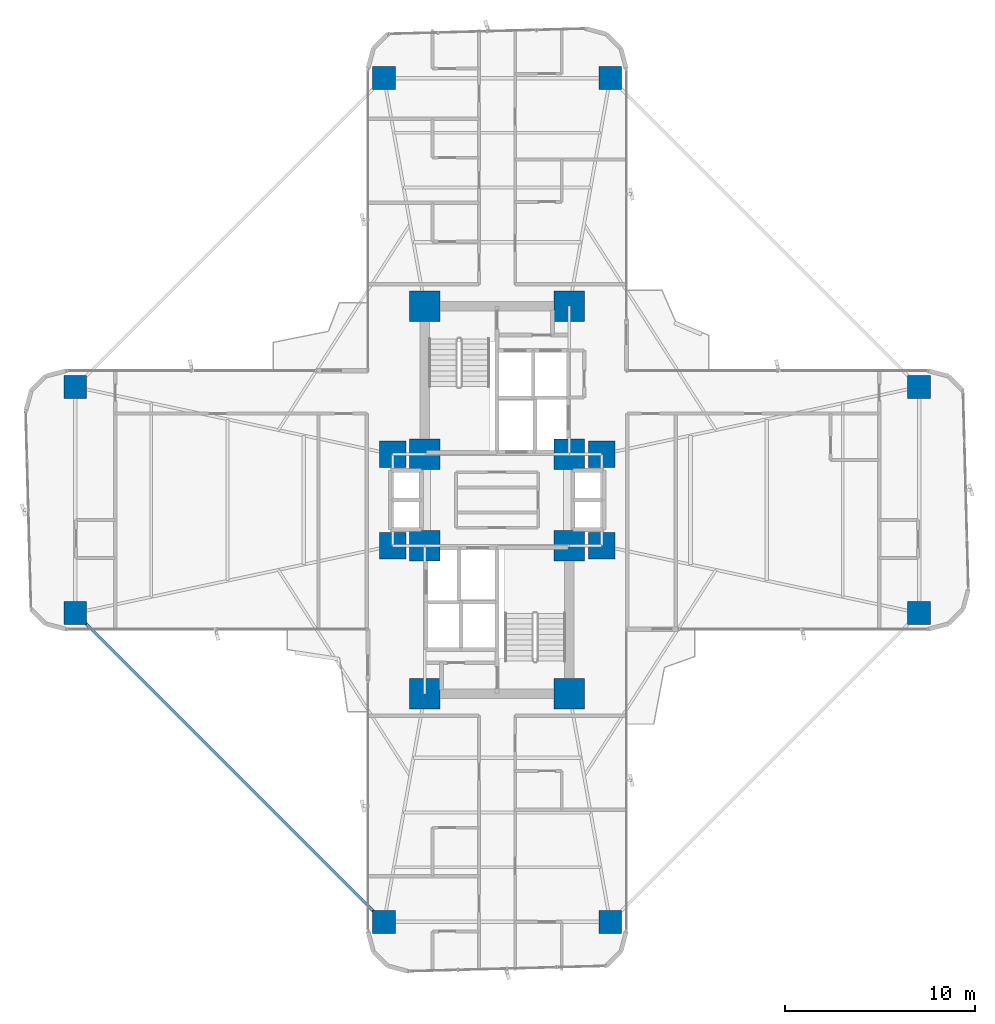
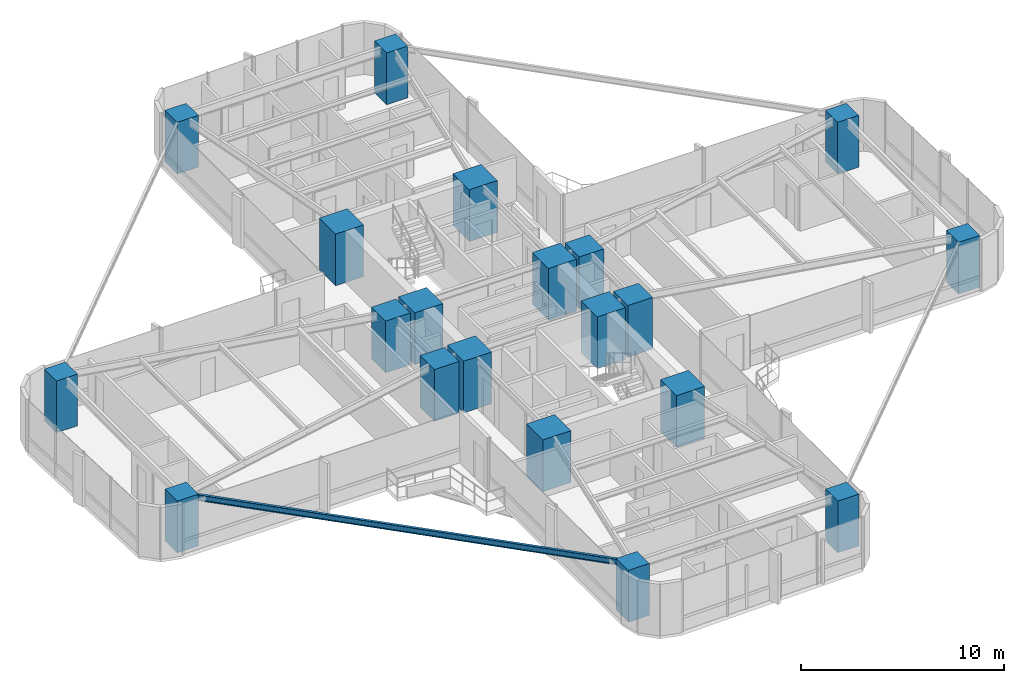
# One storey, part 1 of 25: 20 columns, 1 beam.
"""IFC4 building model written with IfcOpenShell, lengths in metres."""

from ifc_helpers import new_model, si_unit, direction, frame, origin, origin_2d, place, context, subcontext, project, spatial, rectangle, i_section, extrude, source, transform, mapped, material, material_profile, profile_set, type_object, element, save


model = new_model("IFC4")

# Units and contexts
model_context = context("Model", 3, precision=1e-05, world=origin(), true_north=direction((0.0, 1.0)))
body_context = subcontext(model_context, "Body", "Model", "MODEL_VIEW")
ifc_project = project(units=[si_unit("LENGTHUNIT", "METRE"), si_unit("AREAUNIT", "SQUARE_METRE"), si_unit("VOLUMEUNIT", "CUBIC_METRE"), si_unit("PLANEANGLEUNIT", "RADIAN"), si_unit("MASSUNIT", "GRAM", prefix="KILO")], contexts=[model_context])

# Site, building, storey
site_placement = place(None, origin())
site = spatial("IfcSite", under=ifc_project, at=site_placement, CompositionType="ELEMENT")
building_placement = place(site_placement, origin())
building = spatial("IfcBuilding", under=site, at=building_placement, Name="Sahyath Konkavel Grand Hotel", CompositionType="ELEMENT")
storey_placement = place(building_placement, frame((0.0, 0.0, 36.5)))
storey = spatial("IfcBuildingStorey", under=building, at=storey_placement, Name="L09", CompositionType="ELEMENT", Elevation=36.5)

# Columns
ifc_material_1 = material(Name="Concrete C70/85", Category="concrete")
ifc_material_profile_1 = material_profile(ifc_material_1, rectangle(XDim=1.60009765625, YDim=1.60009765625, at=origin_2d()), Name="RC 1600x1600")
ifc_profile_set_1 = profile_set([ifc_material_profile_1], Name="Concrete C70/85")
column_type_1 = type_object("IfcColumnType", Name="COL-RC1600", PredefinedType="COLUMN", material=ifc_profile_set_1)
shared_shape_1 = source(origin(), body_context, "Body", "SweptSolid", [
    extrude(rectangle(XDim=1.60009765625, YDim=1.60009765625, at=origin_2d()), origin(), (0.0, 0.0, 1.0), 3.110107421875),
])
for number, where, z_axis, x_axis, name in (
    (1, (-3.800048828125, 2.39990234375, 0.0), (0.0, 0.0, 1.0), (1.0, 0.0, 0.0), "L09 Core Boundary Column NC-SW"),
    (2, (3.800048828125, 2.39990234375, 0.0), (0.0, 0.0, 1.0), (1.0, 0.0, 0.0), "L09 Core Boundary Column NC-SE"),
    (3, (-3.800048828125, 10.199951171875, 0.0), (0.0, 0.0, 1.0), (1.0, 0.0, 0.0), "L09 Core Boundary Column NC-NW"),
    (4, (3.800048828125, 10.199951171875, 0.0), (0.0, 0.0, 1.0), (1.0, 0.0, 0.0), "L09 Core Boundary Column NC-NE"),
    (5, (-3.800048828125, -2.39990234375, 0.0), (0.0, 0.0, 1.0), (1.0, 0.0, 0.0), "L09 Core Boundary Column SC-NW"),
    (6, (3.800048828125, -2.39990234375, 0.0), (0.0, 0.0, 1.0), (1.0, 0.0, 0.0), "L09 Core Boundary Column SC-NE"),
    (7, (-3.800048828125, -10.199951171875, 0.0), (0.0, 0.0, 1.0), (1.0, 0.0, 0.0), "L09 Core Boundary Column SC-SW"),
    (8, (3.800048828125, -10.199951171875, 0.0), (0.0, 0.0, 1.0), (1.0, 0.0, 0.0), "L09 Core Boundary Column SC-SE"),
):
    element("IfcColumn", number, at=place(storey_placement, frame(where, z_axis=z_axis, x_axis=x_axis)), inside=storey, type_object=column_type_1, Name=name, PredefinedType="COLUMN", context=body_context, shape_type="MappedRepresentation", body=[
        mapped(shared_shape_1, transform((0.0, 0.0, 0.0), scale=1.0)),
    ])
ifc_material_profile_2 = material_profile(ifc_material_1, rectangle(XDim=1.39990234375, YDim=1.39990234375, at=origin_2d()), Name="RC 1400x1400")
ifc_profile_set_2 = profile_set([ifc_material_profile_2], Name="Concrete C70/85")
column_type_2 = type_object("IfcColumnType", Name="COL-RC1400", PredefinedType="COLUMN", material=ifc_profile_set_2)
shared_shape_2 = source(origin(), body_context, "Body", "SweptSolid", [
    extrude(rectangle(XDim=1.39990234375, YDim=1.39990234375, at=origin_2d()), origin(), (0.0, 0.0, 1.0), 3.110107421875),
])
for number, where, z_axis, x_axis, name in (
    (9, (5.5, 2.39990234375, 0.0), (0.0, 0.0, 1.0), (1.0, 0.0, 0.0), "L09 Central Spine Column HB-NE"),
    (10, (-5.5, 2.39990234375, 0.0), (0.0, 0.0, 1.0), (1.0, 0.0, 0.0), "L09 Central Spine Column HB-NW"),
    (11, (5.5, -2.39990234375, 0.0), (0.0, 0.0, 1.0), (1.0, 0.0, 0.0), "L09 Central Spine Column HB-SE"),
    (12, (-5.5, -2.39990234375, 0.0), (0.0, 0.0, 1.0), (1.0, 0.0, 0.0), "L09 Central Spine Column HB-SW"),
):
    element("IfcColumn", number, at=place(storey_placement, frame(where, z_axis=z_axis, x_axis=x_axis)), inside=storey, type_object=column_type_2, Name=name, PredefinedType="COLUMN", context=body_context, shape_type="MappedRepresentation", body=[
        mapped(shared_shape_2, transform((0.0, 0.0, 0.0), scale=1.0)),
    ])
ifc_material_2 = material(Name="Concrete C50/60", Category="concrete")
ifc_material_profile_3 = material_profile(ifc_material_2, rectangle(XDim=1.199951171875, YDim=1.199951171875, at=origin_2d()), Name="RC 1200x1200")
ifc_profile_set_3 = profile_set([ifc_material_profile_3], Name="Concrete C50/60")
column_type_3 = type_object("IfcColumnType", Name="COL-RC1200", PredefinedType="COLUMN", material=ifc_profile_set_3)
shared_shape_3 = source(origin(), body_context, "Body", "SweptSolid", [
    extrude(rectangle(XDim=1.199951171875, YDim=1.199951171875, at=origin_2d()), origin(), (0.0, 0.0, 1.0), 3.110107421875),
])
for number, where, z_axis, x_axis, name in (
    (13, (22.199951171875, -5.949951171875, 0.0), (0.0, 0.0, 1.0), (1.0, 0.0, 0.0), "L09 Cruciform Wing Column WC-EA"),
    (14, (22.199951171875, 5.949951171875, 0.0), (0.0, 0.0, 1.0), (1.0, 0.0, 0.0), "L09 Cruciform Wing Column WC-EB"),
    (15, (5.949951171875, 22.199951171875, 0.0), (0.0, 0.0, 1.0), (1.0, 0.0, 0.0), "L09 Cruciform Wing Column WC-NA"),
    (16, (-5.949951171875, 22.199951171875, 0.0), (0.0, 0.0, 1.0), (1.0, 0.0, 0.0), "L09 Cruciform Wing Column WC-NB"),
    (17, (-22.199951171875, 5.949951171875, 0.0), (0.0, 0.0, 1.0), (1.0, 0.0, 0.0), "L09 Cruciform Wing Column WC-WA"),
    (18, (-22.199951171875, -5.949951171875, 0.0), (0.0, 0.0, 1.0), (1.0, 0.0, 0.0), "L09 Cruciform Wing Column WC-WB"),
    (19, (-5.949951171875, -22.199951171875, 0.0), (0.0, 0.0, 1.0), (1.0, 0.0, 0.0), "L09 Cruciform Wing Column WC-SA"),
    (20, (5.949951171875, -22.199951171875, 0.0), (0.0, 0.0, 1.0), (1.0, 0.0, 0.0), "L09 Cruciform Wing Column WC-SB"),
):
    element("IfcColumn", number, at=place(storey_placement, frame(where, z_axis=z_axis, x_axis=x_axis)), inside=storey, type_object=column_type_3, Name=name, PredefinedType="COLUMN", context=body_context, shape_type="MappedRepresentation", body=[
        mapped(shared_shape_3, transform((0.0, 0.0, 0.0), scale=1.0)),
    ])

# Beam
ifc_material_3 = material(Name="Steel E350", Category="steel")
ifc_material_profile_4 = material_profile(ifc_material_3, i_section(OverallWidth=0.139892578125, OverallDepth=0.35009765625, WebThickness=0.008056640625, FlangeThickness=0.01416015625, FilletRadius=0.013916015625, at=origin_2d()), Name="ISMB 350")
ifc_profile_set_4 = profile_set([ifc_material_profile_4], Name="Steel E350")
beam_type = type_object("IfcBeamType", Name="BM-ISMB350", PredefinedType="BEAM", material=ifc_profile_set_4)
shared_shape_4 = source(origin(), body_context, "Body", "SweptSolid", [
    extrude(i_section(OverallWidth=0.139892578125, OverallDepth=0.35009765625, WebThickness=0.008056640625, FlangeThickness=0.01416015625, FilletRadius=0.013916015625, at=origin_2d()), origin(), (0.0, 0.0, 1.0), 22.98095703125),
])
beam_placement = place(storey_placement, frame((-22.199951171875, -5.949951171875, 2.93505859375), z_axis=(0.707106781187, -0.707106781187, 0.0), x_axis=(0.707106781187, 0.707106781187, 0.0)))
element("IfcBeam", 21, at=beam_placement, inside=storey, type_object=beam_type, Name="L09 Re-Entrant Tie Beam SW", PredefinedType="BEAM", context=body_context, shape_type="MappedRepresentation", body=[
    mapped(shared_shape_4, transform((0.0, 0.0, 0.0), scale=1.0)),
])

save(model, "model.ifc")
